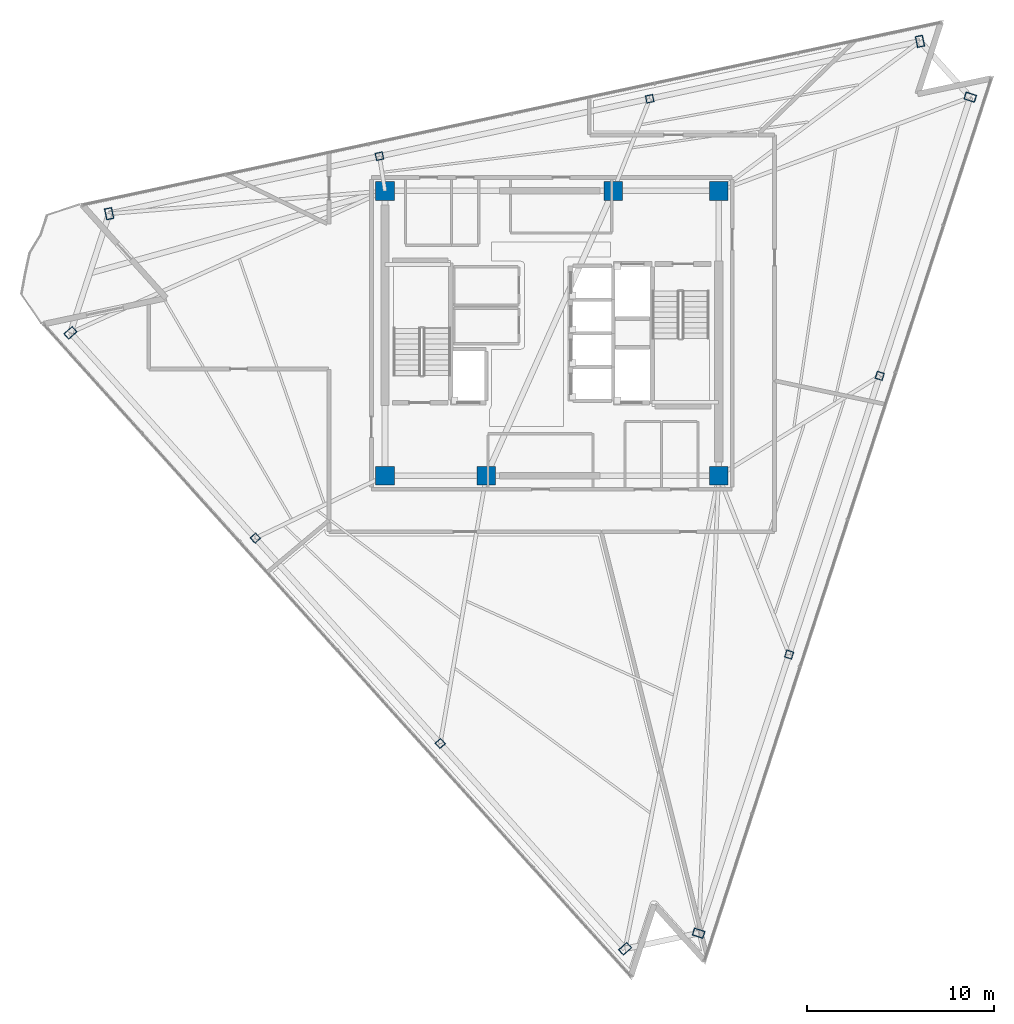
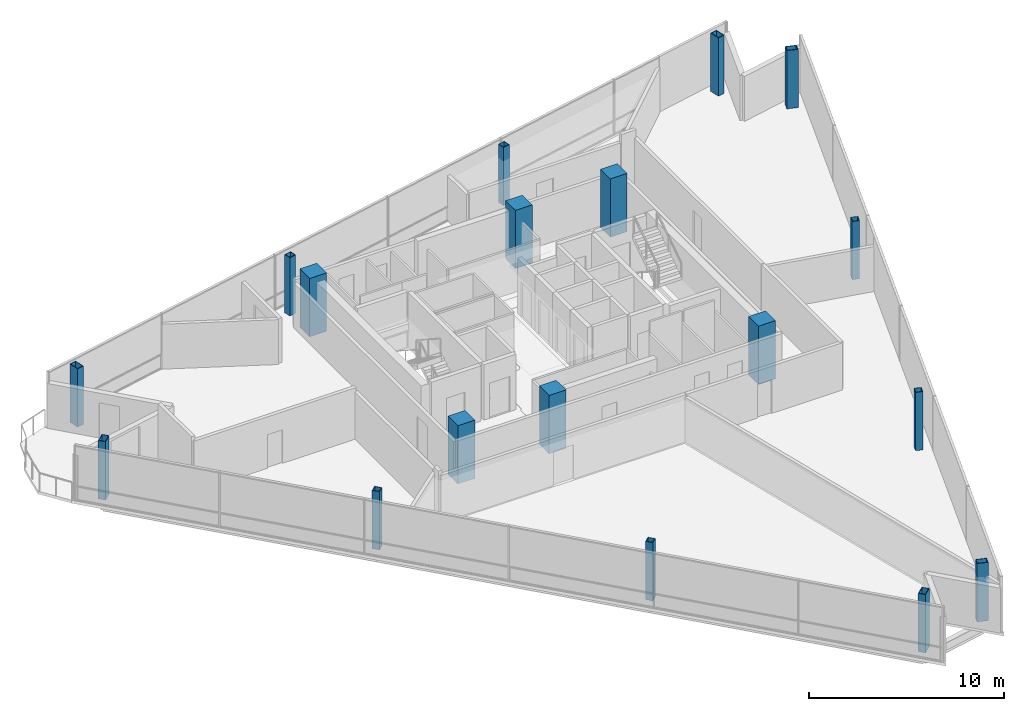
# One storey, part 1 of 15: 18 columns.
"""IFC4 building model written with IfcOpenShell, lengths in metres."""

from ifc_helpers import new_model, si_unit, direction, frame, origin, origin_2d, place, context, subcontext, project, spatial, rectangle, hollow_rectangle, extrude, material, material_profile, profile_set, type_object, element, save


model = new_model("IFC4")

# Units and contexts
model_context = context("Model", 3, precision=1e-05, world=origin(), true_north=direction((0.0, 1.0)))
body_context = subcontext(model_context, "Body", "Model", "MODEL_VIEW")
ifc_project = project(units=[si_unit("LENGTHUNIT", "METRE"), si_unit("AREAUNIT", "SQUARE_METRE"), si_unit("VOLUMEUNIT", "CUBIC_METRE"), si_unit("PLANEANGLEUNIT", "RADIAN"), si_unit("MASSUNIT", "GRAM", prefix="KILO")], contexts=[model_context])

# Site, building, storey
site_placement = place(None, origin())
site = spatial("IfcSite", under=ifc_project, at=site_placement, CompositionType="ELEMENT")
building_placement = place(site_placement, origin())
building = spatial("IfcBuilding", under=site, at=building_placement, Name="Tharavind Bronze Gate", CompositionType="ELEMENT")
storey_placement = place(building_placement, frame((0.0, 0.0, 283.39990234375)))
storey = spatial("IfcBuildingStorey", under=building, at=storey_placement, Name="L73", CompositionType="ELEMENT", Elevation=283.39990234375)

# Columns
ifc_material_1 = material(Name="Steel S460", Category="steel")
ifc_material_profile_1 = material_profile(ifc_material_1, hollow_rectangle(XDim=0.39990234375, YDim=0.60009765625, WallThickness=0.030029296875, at=origin_2d()), Name="RHS600X400X30")
ifc_profile_set_1 = profile_set([ifc_material_profile_1], Name="Steel S460")
column_type_1 = type_object("IfcColumnType", Name="CORNER NOTCH COLUMN RHS600X400", PredefinedType="COLUMN", material=ifc_profile_set_1)
for number, where, z_axis, x_axis, name in (
    (1, (-25.6787109375, 0.03173828125, 0.0), (0.0, 0.0, 1.0), (-0.669130606359, 0.743144825477, 0.0), "L73 perimeter column S1C1"),
    (2, (3.908935546875, -32.82861328125, 0.0), (0.0, 0.0, 1.0), (-0.669130606359, 0.743144825477, 0.0), "L73 perimeter column S1C4"),
    (3, (7.829345703125, -31.99560546875, 0.0), (0.0, 0.0, 1.0), (0.309018654281, 0.951055976957, 0.0), "L73 perimeter column S2C1"),
    (4, (22.319091796875, 12.599609375, 0.0), (0.0, 0.0, 1.0), (0.309018654281, 0.951055976957, 0.0), "L73 perimeter column S2C4"),
    (5, (19.63720703125, 15.578125, 0.0), (0.0, 0.0, 1.0), (0.978147237858, 0.207913398007, 0.0), "L73 perimeter column S3C1"),
    (6, (-23.614501953125, 6.384765625, 0.0), (0.0, 0.0, 1.0), (0.978147237858, 0.207913398007, 0.0), "L73 perimeter column S3C4"),
):
    element("IfcColumn", number, at=place(storey_placement, frame(where, z_axis=z_axis, x_axis=x_axis)), inside=storey, type_object=column_type_1, Name=name, PredefinedType="COLUMN", context=body_context, shape_type="SweptSolid", body=[
        extrude(hollow_rectangle(XDim=0.39990234375, YDim=0.60009765625, WallThickness=0.030029296875, at=origin_2d()), origin(), (0.0, 0.0, 1.0), 3.650146484375),
    ])
ifc_material_2 = material(Name="Concrete C50/60", Category="concrete")
ifc_material_profile_2 = material_profile(ifc_material_2, rectangle(XDim=1.0, YDim=1.0, at=origin_2d()), Name="RCCOL1000")
ifc_profile_set_2 = profile_set([ifc_material_profile_2], Name="Concrete C50/60")
column_type_2 = type_object("IfcColumnType", Name="MEGA CORE COLUMN 1000", PredefinedType="COLUMN", material=ifc_profile_set_2)
for number, where, z_axis, x_axis, name in (
    (7, (-8.89990234375, -7.60009765625, 0.0), (0.0, 0.0, 1.0), (1.0, 0.0, 0.0), "L73 core mega column MC1"),
    (8, (-3.5, -7.60009765625, 0.0), (0.0, 0.0, 1.0), (1.0, 0.0, 0.0), "L73 core mega column MC2"),
    (9, (8.89990234375, -7.60009765625, 0.0), (0.0, 0.0, 1.0), (1.0, 0.0, 0.0), "L73 core mega column MC3"),
    (10, (8.89990234375, 7.60009765625, 0.0), (0.0, 0.0, 1.0), (1.0, 0.0, 0.0), "L73 core mega column MC4"),
    (11, (3.280029296875, 7.60009765625, 0.0), (0.0, 0.0, 1.0), (1.0, 0.0, 0.0), "L73 core mega column MC5"),
    (12, (-8.89990234375, 7.60009765625, 0.0), (0.0, 0.0, 1.0), (1.0, 0.0, 0.0), "L73 core mega column MC6"),
):
    element("IfcColumn", number, at=place(storey_placement, frame(where, z_axis=z_axis, x_axis=x_axis)), inside=storey, type_object=column_type_2, Name=name, PredefinedType="COLUMN", context=body_context, shape_type="SweptSolid", body=[
        extrude(rectangle(XDim=1.0, YDim=1.0, at=origin_2d()), origin(), (0.0, 0.0, 1.0), 3.650146484375),
    ])
ifc_material_profile_3 = material_profile(ifc_material_1, hollow_rectangle(XDim=0.39990234375, YDim=0.39990234375, WallThickness=0.02490234375, at=origin_2d()), Name="SHS400X25")
ifc_profile_set_3 = profile_set([ifc_material_profile_3], Name="Steel S460")
column_type_3 = type_object("IfcColumnType", Name="PERIMETER BOX COLUMN SHS400", PredefinedType="COLUMN", material=ifc_profile_set_3)
for number, where, z_axis, x_axis, name in (
    (13, (-15.816162109375, -10.921875, 0.0), (0.0, 0.0, 1.0), (-0.669130606359, 0.743144825477, 0.0), "L73 perimeter column S1C2"),
    (14, (-5.95361328125, -21.875244140625, 0.0), (0.0, 0.0, 1.0), (-0.669130606359, 0.743144825477, 0.0), "L73 perimeter column S1C3"),
    (15, (12.6591796875, -17.130615234375, 0.0), (0.0, 0.0, 1.0), (0.309018654281, 0.951055976957, 0.0), "L73 perimeter column S2C2"),
    (16, (17.4892578125, -2.265380859375, 0.0), (0.0, 0.0, 1.0), (0.309018654281, 0.951055976957, 0.0), "L73 perimeter column S2C3"),
    (17, (5.219970703125, 12.513671875, 0.0), (0.0, 0.0, 1.0), (0.978147237858, 0.207913398007, 0.0), "L73 perimeter column S3C2"),
    (18, (-9.197265625, 9.44921875, 0.0), (0.0, 0.0, 1.0), (0.978147237858, 0.207913398007, 0.0), "L73 perimeter column S3C3"),
):
    element("IfcColumn", number, at=place(storey_placement, frame(where, z_axis=z_axis, x_axis=x_axis)), inside=storey, type_object=column_type_3, Name=name, PredefinedType="COLUMN", context=body_context, shape_type="SweptSolid", body=[
        extrude(hollow_rectangle(XDim=0.39990234375, YDim=0.39990234375, WallThickness=0.02490234375, at=origin_2d()), origin(), (0.0, 0.0, 1.0), 3.650146484375),
    ])

save(model, "model.ifc")
